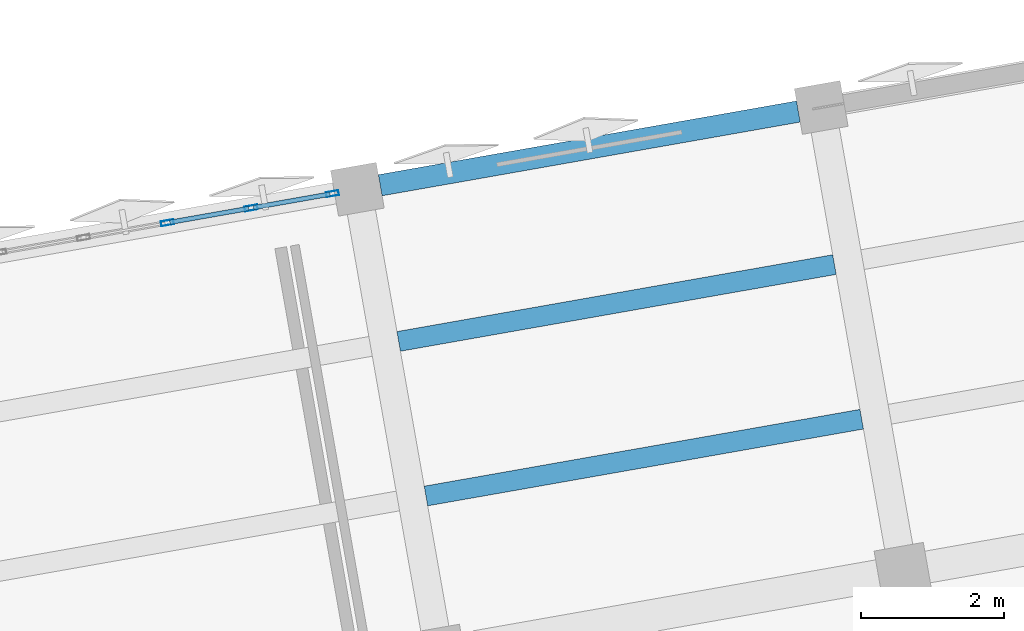
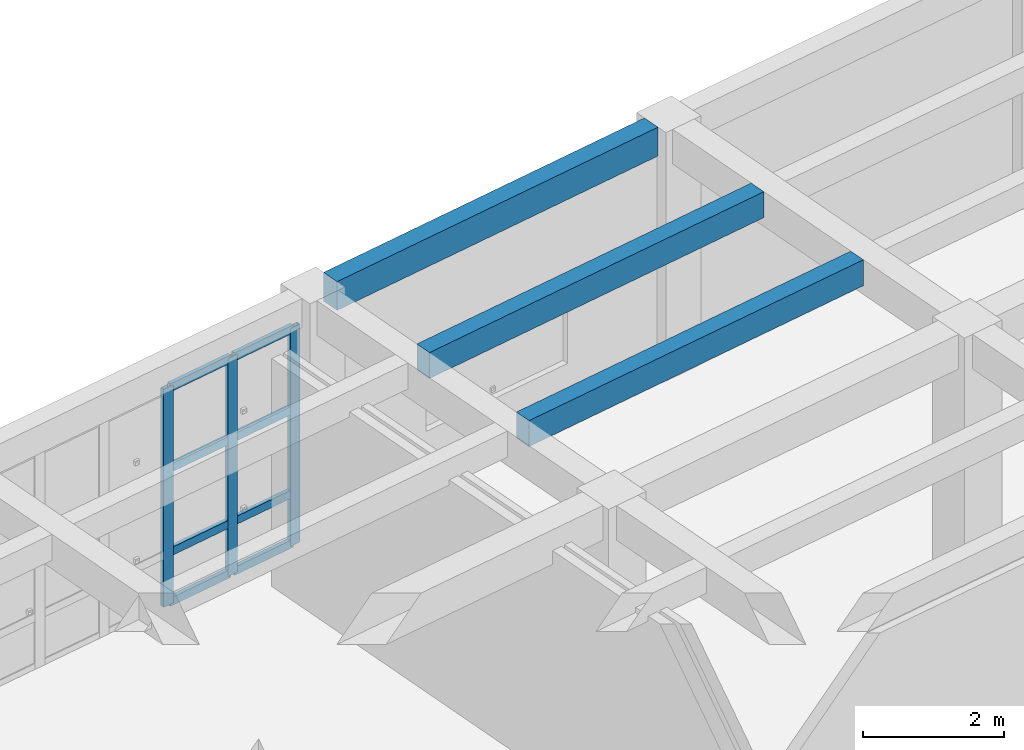
# One storey, part 9 of 39: 11 members, 3 beams, 1 element without a shape of its own.
"""IFC4 building model written with IfcOpenShell, lengths in metres."""

import ifcopenshell
import ifcopenshell.guid

model = None  # the IFC model being written
_history = None  # IfcOwnerHistory: only IFC2X3 demands one
_inside = {}  # id of a spatial element -> (the spatial element, [elements in it])
_under = {}  # id of a project, library or spatial element -> (it, [spatial elements below it])
_declared = {}  # id of a project -> (the project, [libraries it declares])
_typed = {}  # id of a type object -> (the type object, [elements of that type])
_made_of = {}  # id of a material, layer set ... -> (it, [elements and type objects made of it])


def new_model(schema):
    """Start an empty IFC model of exactly this schema.

    Asked for "IFC4X3", IfcOpenShell would pick the latest addendum, in which some entities
    have other attributes; the version numbers below select the first issue.
    IFC2X3 requires an IfcOwnerHistory on every rooted entity: one is made here for all.
    """
    global model, _history
    if schema == "IFC4X3":
        model = ifcopenshell.file(schema_version=(4, 3, 0, 0))
    else:
        model = ifcopenshell.file(schema=schema)
    _inside.clear()
    _under.clear()
    _declared.clear()
    _typed.clear()
    _made_of.clear()
    _history = None
    if model.schema == "IFC2X3":
        org = make("IfcOrganization", Name="unknown")
        user = make(
            "IfcPersonAndOrganization",
            ThePerson=make("IfcPerson", FamilyName="unknown"),
            TheOrganization=org,
        )
        app = make(
            "IfcApplication",
            ApplicationDeveloper=org,
            Version="unknown",
            ApplicationFullName="unknown",
            ApplicationIdentifier="unknown",
        )
        _history = make(
            "IfcOwnerHistory",
            OwningUser=user,
            OwningApplication=app,
            ChangeAction="ADDED",
            CreationDate=0,
        )
    return model


def make(cls, **values):
    """One entity of the class cls with the attributes given. An attribute that is None is left unset."""
    return model.create_entity(
        cls, **{name: value for name, value in values.items() if value is not None}
    )


def rooted(cls, **values):
    """An entity with a GlobalId (a new one), such as an element, a storey or a relation."""
    return make(cls, GlobalId=ifcopenshell.guid.new(), OwnerHistory=_history, **values)


def si_unit(unit_type, name, prefix=None):
    """IfcSIUnit, for example si_unit("LENGTHUNIT", "METRE", prefix="MILLI")."""
    return make("IfcSIUnit", UnitType=unit_type, Prefix=prefix, Name=name)


def assignment(units):
    """IfcUnitAssignment: the units of a project."""
    return None if units is None else make("IfcUnitAssignment", Units=units)


def point(xyz):
    """IfcCartesianPoint."""
    return None if xyz is None else make("IfcCartesianPoint", Coordinates=xyz)


def direction(xyz):
    """IfcDirection."""
    return None if xyz is None else make("IfcDirection", DirectionRatios=xyz)


def frame(location, z_axis=None, x_axis=None):
    """IfcAxis2Placement3D, a coordinate frame: its origin and axes. An axis left out is left unset."""
    return make(
        "IfcAxis2Placement3D",
        Location=point(location),
        Axis=direction(z_axis),
        RefDirection=direction(x_axis),
    )


def frame_2d(location, x_axis=None):
    """IfcAxis2Placement2D, a coordinate frame in the plane: its origin and x axis."""
    return make(
        "IfcAxis2Placement2D", Location=point(location), RefDirection=direction(x_axis)
    )


def origin():
    """The frame at (0, 0, 0) with its axes left unset."""
    return frame((0.0, 0.0, 0.0))


def origin_2d():
    """The frame at (0, 0) in the plane with its x axis left unset."""
    return frame_2d((0.0, 0.0))


def place(relative_to, where):
    """IfcLocalPlacement: puts the frame where relative to a parent placement (None: the world)."""
    return make(
        "IfcLocalPlacement", PlacementRelTo=relative_to, RelativePlacement=where
    )


def context(
    kind, dimensions, precision=None, world=None, true_north=None, identifier=None
):
    """IfcGeometricRepresentationContext, for example the 3D "Model" context."""
    return make(
        "IfcGeometricRepresentationContext",
        ContextIdentifier=identifier,
        ContextType=kind,
        CoordinateSpaceDimension=dimensions,
        Precision=precision,
        WorldCoordinateSystem=world,
        TrueNorth=true_north,
    )


def subcontext(parent, identifier, kind, view, scale=None):
    """IfcGeometricRepresentationSubContext, for example "Body" below "Model"."""
    return make(
        "IfcGeometricRepresentationSubContext",
        ContextIdentifier=identifier,
        ContextType=kind,
        ParentContext=parent,
        TargetScale=scale,
        TargetView=view,
    )


def project(units=None, contexts=None):
    """IfcProject with its units and contexts."""
    return rooted(
        "IfcProject",
        Name="project",
        RepresentationContexts=contexts,
        UnitsInContext=assignment(units),
    )


def spatial(cls, under=None, at=None, **own):
    """A site, building, storey or space (cls), placed at a placement, below another one or the project."""
    s = rooted(cls, ObjectPlacement=at, **own)
    if under is not None:
        _under.setdefault(under.id(), (under, []))[1].append(s)
    return s


def profile(cls, at=None, kind="AREA", **sizes):
    """A parametric profile (cls). Its sizes go by their IFC names, for example OverallWidth=200.0."""
    return make(cls, ProfileType=kind, Position=at, **sizes)


def rectangle(**sizes):
    """IfcRectangleProfileDef."""
    return profile("IfcRectangleProfileDef", **sizes)


def hollow_rectangle(**sizes):
    """IfcRectangleHollowProfileDef."""
    return profile("IfcRectangleHollowProfileDef", **sizes)


def extrude(swept, where, along, depth):
    """IfcExtrudedAreaSolid: the profile swept, set in the frame where, extruded along a direction by depth."""
    return make(
        "IfcExtrudedAreaSolid",
        SweptArea=swept,
        Position=where,
        ExtrudedDirection=direction(along),
        Depth=depth,
    )


def shape(context_of_items, identifier, shape_type, items):
    """IfcShapeRepresentation: the items that make up one representation, for example the "Body"."""
    return make(
        "IfcShapeRepresentation",
        ContextOfItems=context_of_items,
        RepresentationIdentifier=identifier,
        RepresentationType=shape_type,
        Items=items,
    )


def material(Name=None, Category=None):
    """IfcMaterial."""
    return make("IfcMaterial", Name=Name, Category=Category)


def layer(
    of_material, thickness, ventilated=None, Name=None, Category=None, Priority=None
):
    """IfcMaterialLayer: one layer of a wall or slab, of a material (None: an air gap)."""
    return make(
        "IfcMaterialLayer",
        Material=of_material,
        LayerThickness=thickness,
        IsVentilated=ventilated,
        Name=Name,
        Category=Category,
        Priority=Priority,
    )


def layer_set(layers, Name=None):
    """IfcMaterialLayerSet."""
    return make("IfcMaterialLayerSet", MaterialLayers=layers, LayerSetName=Name)


def material_profile(
    of_material, cross_section, Name=None, Category=None, Priority=None
):
    """IfcMaterialProfile: a cross section and its material."""
    return make(
        "IfcMaterialProfile",
        Name=Name,
        Material=of_material,
        Profile=cross_section,
        Priority=Priority,
        Category=Category,
    )


def profile_set(profiles, Name=None, composite=None):
    """IfcMaterialProfileSet."""
    return make(
        "IfcMaterialProfileSet",
        Name=Name,
        MaterialProfiles=profiles,
        CompositeProfile=composite,
    )


def made_of(thing, what):
    """Note that an element or type object is made of a material, layer set ...; save() writes the relation."""
    if what is not None:
        _made_of.setdefault(what.id(), (what, []))[1].append(thing)
    return thing


def type_object(cls, material=None, **own):
    """A type object (cls), such as IfcWallType, which elements share."""
    return made_of(rooted(cls, **own), material)


def element(
    cls,
    number,
    at=None,
    inside=None,
    cuts=None,
    type_object=None,
    material=None,
    context=None,
    identifier="Body",
    shape_type=None,
    held_by="IfcProductDefinitionShape",
    body=None,
    shapes=None,
    **own,
):
    """One element of the class cls, such as IfcWall. Its Tag is "e" and its number.

    at: its placement. inside: the storey or other place that contains it. cuts: it is an
    opening in that element (IfcRelVoidsElement). A single representation is given by context,
    identifier, shape_type and body (its items); several are given by shapes. held_by: the class
    of the entity that holds the representations. save() writes the other relations.
    """
    e = rooted(cls, Tag="e%d" % number, ObjectPlacement=at, **own)
    if body is not None:
        shapes = [shape(context, identifier, shape_type, body)]
    if shapes is not None:
        e.Representation = make(held_by, Representations=shapes)
    if inside is not None:
        _inside.setdefault(inside.id(), (inside, []))[1].append(e)
    if cuts is not None:
        rooted(
            "IfcRelVoidsElement", RelatingBuildingElement=cuts, RelatedOpeningElement=e
        )
    if type_object is not None:
        _typed.setdefault(type_object.id(), (type_object, []))[1].append(e)
    return made_of(e, material)


def aggregate(whole, parts):
    """IfcRelAggregates: a whole, such as a stair, and the parts it consists of."""
    return rooted("IfcRelAggregates", RelatingObject=whole, RelatedObjects=parts)


def save(model, path):
    """Write the relations noted so far, then the file.

    IfcRelAggregates (storeys below a building ...), IfcRelContainedInSpatialStructure (elements
    in a storey), IfcRelDefinesByType, IfcRelAssociatesMaterial and IfcRelDeclares: one each for
    every whole, place, type object, material and project.
    """
    for whole, parts in _under.values():
        aggregate(whole, parts)
    for where, things in _inside.values():
        rooted(
            "IfcRelContainedInSpatialStructure",
            RelatedElements=things,
            RelatingStructure=where,
        )
    for kind, things in _typed.values():
        rooted("IfcRelDefinesByType", RelatedObjects=things, RelatingType=kind)
    for what, things in _made_of.values():
        rooted("IfcRelAssociatesMaterial", RelatedObjects=things, RelatingMaterial=what)
    for by, libraries in _declared.values():
        rooted("IfcRelDeclares", RelatingContext=by, RelatedDefinitions=libraries)
    model.write(path)


model = new_model("IFC4")

# Units and contexts
model_context = context("Model", 3, precision=1e-05, world=origin(), true_north=direction((0.0, 1.0)))
body_context = subcontext(model_context, "Body", "Model", "MODEL_VIEW")
ifc_project = project(units=[si_unit("LENGTHUNIT", "METRE"), si_unit("AREAUNIT", "SQUARE_METRE"), si_unit("VOLUMEUNIT", "CUBIC_METRE"), si_unit("PLANEANGLEUNIT", "RADIAN"), si_unit("MASSUNIT", "GRAM", prefix="KILO")], contexts=[model_context])

# Site, building, storey
site_placement = place(None, origin())
site = spatial("IfcSite", under=ifc_project, at=site_placement, CompositionType="ELEMENT")
building_placement = place(site_placement, origin())
building = spatial("IfcBuilding", under=site, at=building_placement, Name="Kharisveld Research Institute", CompositionType="ELEMENT")
storey_placement = place(building_placement, frame((0.0, 0.0, 23.10009765625)))
storey = spatial("IfcBuildingStorey", under=building, at=storey_placement, Name="L05", CompositionType="ELEMENT", Elevation=23.10009765625)

# Curtain wall, members
ifc_material_1 = material(Name="Thermally Broken Aluminium Curtain Wall", Category="aluminium")
ifc_layer = layer(ifc_material_1, 0.159912109375)
ifc_layer_set = layer_set([ifc_layer], Name="CW_SYS_01")
curtain_wall_type = type_object("IfcCurtainWallType", Name="CW_SYS_01", PredefinedType="NOTDEFINED", material=ifc_layer_set)
curtain_wall_placement = place(storey_placement, origin())
curtain_wall = element("IfcCurtainWall", 1, at=curtain_wall_placement, inside=storey, type_object=curtain_wall_type, Name="CW:V1:L05:N3", PredefinedType="NOTDEFINED")
ifc_material_2 = material(Name="Anodised Aluminium AW-6063-T6", Category="aluminium")
ifc_material_profile_1 = material_profile(ifc_material_2, hollow_rectangle(XDim=0.070068359375, YDim=0.179931640625, WallThickness=0.00439453125, at=origin_2d()))
ifc_profile_set_1 = profile_set([ifc_material_profile_1], Name="Anodised Aluminium AW-6063-T6")
member_type_1 = type_object("IfcMemberType", Name="CW_MUL_180", PredefinedType="MULLION", material=ifc_profile_set_1)
member_1_placement = place(storey_placement, frame((25.09765625, 58.6240234375, 0.0), z_axis=(0.0, 0.0, 1.0), x_axis=(-0.173648295062, 0.984807732312, 0.0)))
member_1 = element("IfcMember", 2, at=member_1_placement, type_object=member_type_1, Name="CW-01 mullion 4", PredefinedType="MULLION", context=body_context, shape_type="SweptSolid", body=[
    extrude(hollow_rectangle(XDim=0.070068359375, YDim=0.179931640625, WallThickness=0.00439453125, at=origin_2d()), origin(), (0.0, 0.0, 1.0), 3.77978515625),
])
member_2_placement = place(storey_placement, frame((26.271728515625, 58.8310546875, 0.0), z_axis=(0.0, 0.0, 1.0), x_axis=(-0.173648295062, 0.984807732312, 0.0)))
member_2 = element("IfcMember", 3, at=member_2_placement, type_object=member_type_1, Name="CW-01 mullion 5", PredefinedType="MULLION", context=body_context, shape_type="SweptSolid", body=[
    extrude(hollow_rectangle(XDim=0.070068359375, YDim=0.179931640625, WallThickness=0.00439453125, at=origin_2d()), origin(), (0.0, 0.0, 1.0), 3.77978515625),
])
member_3_placement = place(storey_placement, frame((27.4111328125, 59.03173828125, 0.0), z_axis=(0.0, 0.0, 1.0), x_axis=(-0.173648295062, 0.984807732312, 0.0)))
member_3 = element("IfcMember", 4, at=member_3_placement, type_object=member_type_1, Name="CW-01 mullion 6", PredefinedType="MULLION", context=body_context, shape_type="SweptSolid", body=[
    extrude(hollow_rectangle(XDim=0.070068359375, YDim=0.179931640625, WallThickness=0.00439453125, at=origin_2d()), origin(), (0.0, 0.0, 1.0), 3.77978515625),
])
ifc_material_3 = material(Name="Anodised Aluminium AW-6063-T6", Category="aluminium")
ifc_material_profile_2 = material_profile(ifc_material_3, hollow_rectangle(XDim=0.06494140625, YDim=0.139892578125, WallThickness=0.00390625, at=origin_2d()))
ifc_profile_set_2 = profile_set([ifc_material_profile_2], Name="Anodised Aluminium AW-6063-T6")
member_type_2 = type_object("IfcMemberType", Name="CW_TRN_140", PredefinedType="USERDEFINED", material=ifc_profile_set_2)
member_4_placement = place(storey_placement, frame((25.13232421875, 58.630126953125, 0.032470703125), z_axis=(0.984809833526, 0.173636378072, 0.0), x_axis=(-0.173636378072, 0.984809833526, 0.0)))
member_4 = element("IfcMember", 5, at=member_4_placement, type_object=member_type_2, Name="CW-01 transom 4.1", ObjectType="TRANSOM", PredefinedType="USERDEFINED", context=body_context, shape_type="SweptSolid", body=[
    extrude(hollow_rectangle(XDim=0.06494140625, YDim=0.139892578125, WallThickness=0.00390625, at=origin_2d()), origin(), (0.0, 0.0, 1.0), 1.1220703125),
])
member_5_placement = place(storey_placement, frame((25.13232421875, 58.630126953125, 0.89990234375), z_axis=(0.984809833526, 0.173636378072, 0.0), x_axis=(-0.173636378072, 0.984809833526, 0.0)))
member_5 = element("IfcMember", 6, at=member_5_placement, type_object=member_type_2, Name="CW-01 transom 4.2", ObjectType="TRANSOM", PredefinedType="USERDEFINED", context=body_context, shape_type="SweptSolid", body=[
    extrude(hollow_rectangle(XDim=0.06494140625, YDim=0.139892578125, WallThickness=0.00390625, at=origin_2d()), origin(), (0.0, 0.0, 1.0), 1.1220703125),
])
member_6_placement = place(storey_placement, frame((25.13232421875, 58.630126953125, 2.349853515625), z_axis=(0.984809833526, 0.173636378072, 0.0), x_axis=(-0.173636378072, 0.984809833526, 0.0)))
member_6 = element("IfcMember", 7, at=member_6_placement, type_object=member_type_2, Name="CW-01 transom 4.3", ObjectType="TRANSOM", PredefinedType="USERDEFINED", context=body_context, shape_type="SweptSolid", body=[
    extrude(hollow_rectangle(XDim=0.06494140625, YDim=0.139892578125, WallThickness=0.00390625, at=origin_2d()), origin(), (0.0, 0.0, 1.0), 1.1220703125),
])
member_7_placement = place(storey_placement, frame((25.13232421875, 58.630126953125, 3.747314453125), z_axis=(0.984809833526, 0.173636378072, 0.0), x_axis=(-0.173636378072, 0.984809833526, 0.0)))
member_7 = element("IfcMember", 8, at=member_7_placement, type_object=member_type_2, Name="CW-01 transom 4.4", ObjectType="TRANSOM", PredefinedType="USERDEFINED", context=body_context, shape_type="SweptSolid", body=[
    extrude(hollow_rectangle(XDim=0.06494140625, YDim=0.139892578125, WallThickness=0.00390625, at=origin_2d()), origin(), (0.0, 0.0, 1.0), 1.1220703125),
])
member_8_placement = place(storey_placement, frame((26.30615234375, 58.8369140625, 0.032470703125), z_axis=(0.984776775495, 0.173823768354, 0.0), x_axis=(-0.173823768354, 0.984776775495, 0.0)))
member_8 = element("IfcMember", 9, at=member_8_placement, type_object=member_type_2, Name="CW-01 transom 5.1", ObjectType="TRANSOM", PredefinedType="USERDEFINED", context=body_context, shape_type="SweptSolid", body=[
    extrude(hollow_rectangle(XDim=0.06494140625, YDim=0.139892578125, WallThickness=0.00390625, at=origin_2d()), origin(), (0.0, 0.0, 1.0), 1.087158203125),
])
member_9_placement = place(storey_placement, frame((26.30615234375, 58.8369140625, 0.89990234375), z_axis=(0.984776775495, 0.173823768354, 0.0), x_axis=(-0.173823768354, 0.984776775495, 0.0)))
member_9 = element("IfcMember", 10, at=member_9_placement, type_object=member_type_2, Name="CW-01 transom 5.2", ObjectType="TRANSOM", PredefinedType="USERDEFINED", context=body_context, shape_type="SweptSolid", body=[
    extrude(hollow_rectangle(XDim=0.06494140625, YDim=0.139892578125, WallThickness=0.00390625, at=origin_2d()), origin(), (0.0, 0.0, 1.0), 1.087158203125),
])
member_10_placement = place(storey_placement, frame((26.30615234375, 58.8369140625, 2.349853515625), z_axis=(0.984776775495, 0.173823768354, 0.0), x_axis=(-0.173823768354, 0.984776775495, 0.0)))
member_10 = element("IfcMember", 11, at=member_10_placement, type_object=member_type_2, Name="CW-01 transom 5.3", ObjectType="TRANSOM", PredefinedType="USERDEFINED", context=body_context, shape_type="SweptSolid", body=[
    extrude(hollow_rectangle(XDim=0.06494140625, YDim=0.139892578125, WallThickness=0.00390625, at=origin_2d()), origin(), (0.0, 0.0, 1.0), 1.087158203125),
])
member_11_placement = place(storey_placement, frame((26.30615234375, 58.8369140625, 3.747314453125), z_axis=(0.984776775495, 0.173823768354, 0.0), x_axis=(-0.173823768354, 0.984776775495, 0.0)))
member_11 = element("IfcMember", 12, at=member_11_placement, type_object=member_type_2, Name="CW-01 transom 5.4", ObjectType="TRANSOM", PredefinedType="USERDEFINED", context=body_context, shape_type="SweptSolid", body=[
    extrude(hollow_rectangle(XDim=0.06494140625, YDim=0.139892578125, WallThickness=0.00390625, at=origin_2d()), origin(), (0.0, 0.0, 1.0), 1.087158203125),
])
aggregate(curtain_wall, [member_1, member_2, member_3, member_4, member_5, member_6, member_7, member_8, member_9, member_10, member_11])

# Beams
ifc_material_4 = material(Name="Concrete C40/50", Category="concrete")
ifc_material_profile_3 = material_profile(ifc_material_4, rectangle(XDim=0.300048828125, YDim=0.5, at=origin_2d()))
ifc_profile_set_3 = profile_set([ifc_material_profile_3], Name="Concrete C40/50")
beam_type_1 = type_object("IfcBeamType", Name="SP_RC_300x500", PredefinedType="SPANDREL", material=ifc_profile_set_3)
beam_1_placement = place(storey_placement, frame((28.080810546875, 59.14990234375, 4.059814453125), z_axis=(0.984807920462, 0.173647228007, 0.0), x_axis=(-0.173647228007, 0.984807920462, 0.0)))
element("IfcBeam", 13, at=beam_1_placement, inside=storey, type_object=beam_type_1, Name="BM:V1:L05:U4_3", PredefinedType="SPANDREL", context=body_context, shape_type="SweptSolid", body=[
    extrude(rectangle(XDim=0.300048828125, YDim=0.5, at=origin_2d()), origin(), (0.0, 0.0, 1.0), 5.949951171875),
])
ifc_material_5 = material(Name="Concrete C40/50", Category="concrete")
ifc_material_profile_4 = material_profile(ifc_material_5, rectangle(XDim=0.280029296875, YDim=0.449951171875, at=origin_2d()))
ifc_profile_set_4 = profile_set([ifc_material_profile_4], Name="Concrete C40/50")
beam_type_2 = type_object("IfcBeamType", Name="WB_RC_280x450", PredefinedType="JOIST", material=ifc_profile_set_4)
beam_2_placement = place(storey_placement, frame((28.7216796875, 54.795166015625, 4.0849609375), z_axis=(0.984812880329, 0.1736190967, 0.0), x_axis=(-0.1736190967, 0.984812880329, 0.0)))
element("IfcBeam", 14, at=beam_2_placement, inside=storey, type_object=beam_type_2, Name="BM:V1:L05:J_4_2_R1", PredefinedType="JOIST", context=body_context, shape_type="SweptSolid", body=[
    extrude(rectangle(XDim=0.280029296875, YDim=0.449951171875, at=origin_2d()), origin(), (0.0, 0.0, 1.0), 6.199951171875),
])
beam_3_placement = place(storey_placement, frame((28.339599609375, 56.961669921875, 4.0849609375), z_axis=(0.984807334084, 0.173650553511, 0.0), x_axis=(-0.173650553511, 0.984807334084, 0.0)))
element("IfcBeam", 15, at=beam_3_placement, inside=storey, type_object=beam_type_2, Name="BM:V1:L05:J_4_2_R2", PredefinedType="JOIST", context=body_context, shape_type="SweptSolid", body=[
    extrude(rectangle(XDim=0.280029296875, YDim=0.449951171875, at=origin_2d()), origin(), (0.0, 0.0, 1.0), 6.2001953125),
])

save(model, "model.ifc")
